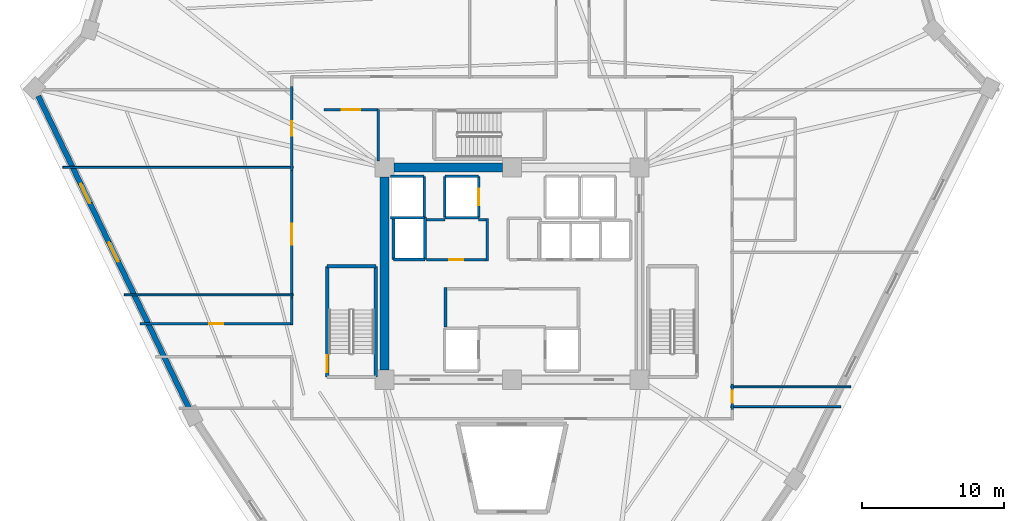
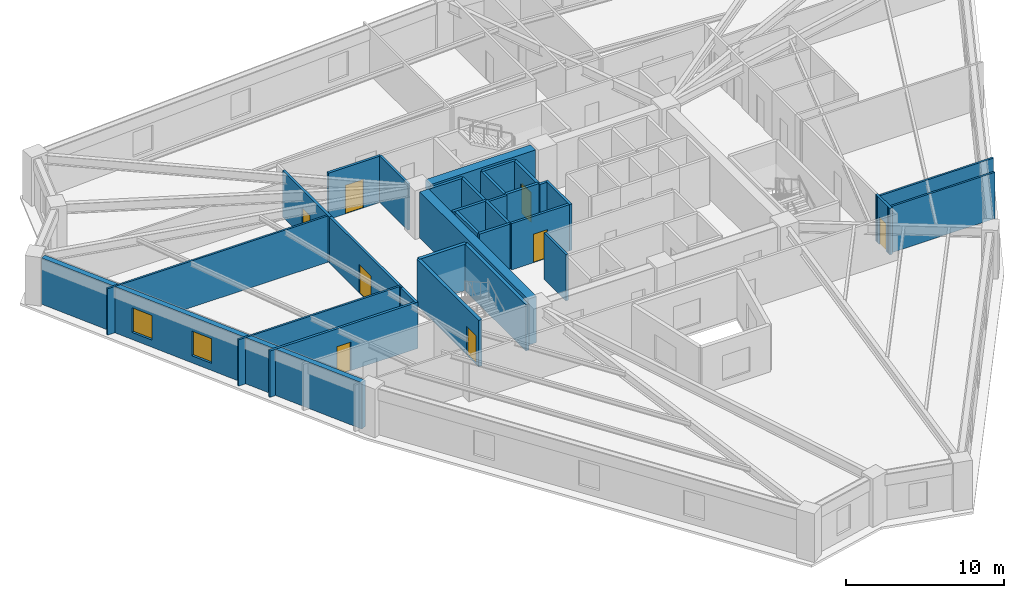
# One storey, part 4 of 8: 32 walls, 8 doors, 2 windows, 10 openings.
"""IFC4 building model written with IfcOpenShell, lengths in metres."""

from ifc_helpers import new_model, si_unit, direction, frame, frame_2d, origin, place, context, subcontext, project, spatial, rectangle, extrude, source, transform, mapped, material, layer, layer_set, type_object, element, fill, save


model = new_model("IFC4")

# Units and contexts
model_context = context("Model", 3, precision=1e-05, world=origin(), true_north=direction((0.0, 1.0)))
body_context = subcontext(model_context, "Body", "Model", "MODEL_VIEW")
ifc_project = project(units=[si_unit("LENGTHUNIT", "METRE"), si_unit("AREAUNIT", "SQUARE_METRE"), si_unit("VOLUMEUNIT", "CUBIC_METRE"), si_unit("PLANEANGLEUNIT", "RADIAN"), si_unit("MASSUNIT", "GRAM", prefix="KILO")], contexts=[model_context])

# Site, building, storey
site_placement = place(None, origin())
site = spatial("IfcSite", under=ifc_project, at=site_placement, CompositionType="ELEMENT")
building_placement = place(site_placement, origin())
building = spatial("IfcBuilding", under=site, at=building_placement, Name="Liaohun Quay Tower", CompositionType="ELEMENT")
storey_placement = place(building_placement, frame((0.0, 0.0, 205.5)))
storey = spatial("IfcBuildingStorey", under=building, at=storey_placement, Name="L53", CompositionType="ELEMENT", Elevation=205.5)

# Walls
ifc_material_1 = material(Name="Concrete C55", Category="concrete")
ifc_layer_1 = layer(ifc_material_1, 0.64990234375, Name="Concrete C55", Category="concrete")
ifc_layer_set_1 = layer_set([ifc_layer_1], Name="Concrete C55")
wall_type_1 = type_object("IfcWallType", Name="WAL-COR-Z3", PredefinedType="SHEAR", material=ifc_layer_set_1)
wall_1_placement = place(storey_placement, frame((51.675048828125, 61.5, 0.0), z_axis=(0.0, 0.0, 1.0), x_axis=(1.0, 0.0, 0.0)))
element("IfcWall", 1, at=wall_1_placement, inside=storey, type_object=wall_type_1, Name="L53 Central Core Shear Wall N-W", PredefinedType="SHEAR", context=body_context, shape_type="SweptSolid", body=[
    extrude(rectangle(XDim=7.64990234375, YDim=0.64990234375, at=frame_2d((3.824951171875, 0.0))), origin(), (0.0, 0.0, 1.0), 3.570068359375),
])
wall_2_placement = place(storey_placement, frame((51.0, 47.175048828125, 0.0), z_axis=(0.0, 0.0, 1.0), x_axis=(0.0, 1.0, 0.0)))
element("IfcWall", 2, at=wall_2_placement, inside=storey, type_object=wall_type_1, Name="L53 Central Core Shear Wall W", PredefinedType="SHEAR", context=body_context, shape_type="SweptSolid", body=[
    extrude(rectangle(XDim=13.64990234375, YDim=0.64990234375, at=frame_2d((6.824951171875, 0.0))), origin(), (0.0, 0.0, 1.0), 3.570068359375),
])

# Wall, openings, windows
ifc_material_2 = material(Name="Precast concrete C50 insulated sandwich", Category="concrete")
ifc_layer_2 = layer(ifc_material_2, 0.3798828125, Name="Precast concrete C50 insulated sandwich", Category="concrete")
ifc_layer_set_2 = layer_set([ifc_layer_2], Name="Precast concrete C50 insulated sandwich")
wall_type_2 = type_object("IfcWallType", Name="WAL-EXT-Z34", PredefinedType="SOLIDWALL", material=ifc_layer_set_2)
wall_3_placement = place(storey_placement, frame((26.52587890625, 66.549072265625, 0.0), z_axis=(0.0, 0.0, 1.0), x_axis=(0.434865153575, -0.900495584779, 0.0)))
wall_3 = element("IfcWall", 3, at=wall_3_placement, inside=storey, type_object=wall_type_2, Name="L53 Brutalist Precast Pier Wall 10", PredefinedType="SOLIDWALL", context=body_context, shape_type="SweptSolid", body=[
    extrude(rectangle(XDim=24.46533203125, YDim=0.3798828125, at=frame_2d((12.232666015625, 0.0))), origin(), (0.0, 0.0, 1.0), 3.570068359375),
])
shared_shape_1 = source(origin(), body_context, "Body", "SweptSolid", [
    extrude(rectangle(XDim=1.5, YDim=1.89990234375, at=frame_2d((0.75, 0.949951171875))), frame((0.0, 0.199951171875, 0.0), z_axis=(0.0, -1.0, 0.0), x_axis=(1.0, 0.0, 0.0)), (0.0, 0.0, 1.0), 0.39990234375),
])
opening_1_placement = place(wall_3_placement, frame((6.916015625, 0.0, 0.550048828125)))
opening_1 = element("IfcOpeningElement", 4, at=opening_1_placement, cuts=wall_3, Name="Opening W03", PredefinedType="OPENING", context=body_context, shape_type="MappedRepresentation", body=[
    mapped(shared_shape_1, transform((0.0, 0.0, 0.0), x_axis=(1.0, 0.0, 0.0), y_axis=(0.0, 1.0, 0.0), z_axis=(0.0, 0.0, 1.0), scale=1.0)),
])
opening_2_placement = place(wall_3_placement, frame((11.48291015625, 0.0, 0.550048828125)))
opening_2 = element("IfcOpeningElement", 5, at=opening_2_placement, cuts=wall_3, Name="Opening W03", PredefinedType="OPENING", context=body_context, shape_type="MappedRepresentation", body=[
    mapped(shared_shape_1, transform((0.0, 0.0, 0.0), x_axis=(1.0, 0.0, 0.0), y_axis=(0.0, 1.0, 0.0), z_axis=(0.0, 0.0, 1.0), scale=1.0)),
])
ifc_material_3 = material(Name="Triple Low-E argon glazing in thermally broken aluminium", Category="aluminium")
window_type = type_object("IfcWindowType", Name="WIN-PUN-Z3", PartitioningType="DOUBLE_PANEL_VERTICAL", PredefinedType="WINDOW", material=ifc_material_3)
shared_shape_2 = source(origin(), body_context, "Body", "SweptSolid", [
    extrude(rectangle(XDim=1.5, YDim=1.89990234375, at=frame_2d((0.75, 0.949951171875))), frame((0.0, 0.030029296875, 0.0), z_axis=(0.0, -1.0, 0.0), x_axis=(1.0, 0.0, 0.0)), (0.0, 0.0, 1.0), 0.06005859375),
])
window_1_placement = place(opening_1_placement, origin())
window_1 = element("IfcWindow", 6, at=window_1_placement, inside=storey, type_object=window_type, Name="L53 Recessed Cold-Climate Punched Window 10-1", OverallHeight=1.89990234375, OverallWidth=1.5, PartitioningType="DOUBLE_PANEL_VERTICAL", PredefinedType="WINDOW", context=body_context, shape_type="MappedRepresentation", body=[
    mapped(shared_shape_2, transform((0.0, 0.0, 0.0), x_axis=(1.0, 0.0, 0.0), y_axis=(0.0, 1.0, 0.0), z_axis=(0.0, 0.0, 1.0), scale=1.0)),
])
fill(opening_1, window_1)
window_2_placement = place(opening_2_placement, origin())
window_2 = element("IfcWindow", 7, at=window_2_placement, inside=storey, type_object=window_type, Name="L53 Recessed Cold-Climate Punched Window 10-2", OverallHeight=1.89990234375, OverallWidth=1.5, PartitioningType="DOUBLE_PANEL_VERTICAL", PredefinedType="WINDOW", context=body_context, shape_type="MappedRepresentation", body=[
    mapped(shared_shape_2, transform((0.0, 0.0, 0.0), x_axis=(1.0, 0.0, 0.0), y_axis=(0.0, 1.0, 0.0), z_axis=(0.0, 0.0, 1.0), scale=1.0)),
])
fill(opening_2, window_2)

# Wall, opening, door
ifc_material_4 = material(Name="Autoclaved aerated concrete blockwork", Category="masonry")
ifc_layer_3 = layer(ifc_material_4, 0.179931640625, Name="Autoclaved aerated concrete blockwork", Category="masonry")
ifc_layer_set_3 = layer_set([ifc_layer_3], Name="Autoclaved aerated concrete blockwork")
wall_type_3 = type_object("IfcWallType", Name="WAL-PRT-COR", PredefinedType="PARTITIONING", material=ifc_layer_set_3)
wall_4_placement = place(storey_placement, frame((53.949951171875, 54.97998046875, 0.0), z_axis=(0.0, 0.0, 1.0), x_axis=(1.0, 0.0, 0.0)))
wall_4 = element("IfcWall", 8, at=wall_4_placement, inside=storey, type_object=wall_type_3, Name="L53 Interior Partition Wall 002", PredefinedType="PARTITIONING", context=body_context, shape_type="SweptSolid", body=[
    extrude(rectangle(XDim=4.2099609375, YDim=0.179931640625, at=frame_2d((2.10498046875, 0.0))), origin(), (0.0, 0.0, 1.0), 3.570068359375),
])
shared_shape_3 = source(origin(), body_context, "Body", "SweptSolid", [
    extrude(rectangle(XDim=1.0, YDim=2.199951171875, at=frame_2d((0.5, 1.10009765625))), frame((0.0, 0.099853515625, 0.0), z_axis=(0.0, -1.0, 0.0), x_axis=(1.0, 0.0, 0.0)), (0.0, 0.0, 1.0), 0.199951171875),
])
opening_3_placement = place(wall_4_placement, frame((1.60009765625, 0.0, 0.0)))
opening_3 = element("IfcOpeningElement", 9, at=opening_3_placement, cuts=wall_4, Name="Opening OD1", PredefinedType="OPENING", context=body_context, shape_type="MappedRepresentation", body=[
    mapped(shared_shape_3, transform((0.0, 0.0, 0.0), x_axis=(1.0, 0.0, 0.0), y_axis=(0.0, 1.0, 0.0), z_axis=(0.0, 0.0, 1.0), scale=1.0)),
])
ifc_material_5 = material(Name="Solid-core oak veneer timber leaf in steel frame", Category="steel")
door_type_1 = type_object("IfcDoorType", Name="DOR-OFF-1000", OperationType="NOTDEFINED", PredefinedType="DOOR", material=ifc_material_5)
shared_shape_4 = source(origin(), body_context, "Body", "SweptSolid", [
    extrude(rectangle(XDim=1.0, YDim=2.199951171875, at=frame_2d((0.5, 1.10009765625))), frame((0.0, 0.02490234375, 0.0), z_axis=(0.0, -1.0, 0.0), x_axis=(1.0, 0.0, 0.0)), (0.0, 0.0, 1.0), 0.050048828125),
])
door_1_placement = place(opening_3_placement, origin())
door_1 = element("IfcDoor", 10, at=door_1_placement, inside=storey, type_object=door_type_1, Name="L53 Core Staff Pantry and Tea Room Door", OperationType="SINGLE_SWING_LEFT", OverallHeight=2.199951171875, OverallWidth=1.0, PredefinedType="DOOR", context=body_context, shape_type="MappedRepresentation", body=[
    mapped(shared_shape_4, transform((0.0, 0.0, 0.0), x_axis=(1.0, 0.0, 0.0), y_axis=(0.0, 1.0, 0.0), z_axis=(0.0, 0.0, 1.0), scale=1.0)),
])
fill(opening_3, door_1)

wall_5_placement = place(storey_placement, frame((46.699951171875, 65.580078125, 0.0), z_axis=(0.0, 0.0, 1.0), x_axis=(1.0, 0.0, 0.0)))
wall_5 = element("IfcWall", 11, at=wall_5_placement, inside=storey, type_object=wall_type_3, Name="L53 Interior Partition Wall 009", PredefinedType="PARTITIONING", context=body_context, shape_type="SweptSolid", body=[
    extrude(rectangle(XDim=3.840087890625, YDim=0.179931640625, at=frame_2d((1.919921875, 0.0))), origin(), (0.0, 0.0, 1.0), 3.570068359375),
])
shared_shape_5 = source(origin(), body_context, "Body", "SweptSolid", [
    extrude(rectangle(XDim=1.300048828125, YDim=2.199951171875, at=frame_2d((0.64990234375, 1.10009765625))), frame((0.0, 0.099853515625, 0.0), z_axis=(0.0, -1.0, 0.0), x_axis=(1.0, 0.0, 0.0)), (0.0, 0.0, 1.0), 0.199951171875),
])
opening_4_placement = place(wall_5_placement, frame((1.27001953125, 0.0, 0.0)))
opening_4 = element("IfcOpeningElement", 12, at=opening_4_placement, cuts=wall_5, Name="Opening FD1", PredefinedType="OPENING", context=body_context, shape_type="MappedRepresentation", body=[
    mapped(shared_shape_5, transform((0.0, 0.0, 0.0), x_axis=(1.0, 0.0, 0.0), y_axis=(0.0, 1.0, 0.0), z_axis=(0.0, 0.0, 1.0), scale=1.0)),
])
ifc_material_6 = material(Name="Galvanised steel smokeproof fire door", Category="steel")
door_type_2 = type_object("IfcDoorType", Name="DOR-FFL-1300", OperationType="NOTDEFINED", PredefinedType="DOOR", material=ifc_material_6)
shared_shape_6 = source(origin(), body_context, "Body", "SweptSolid", [
    extrude(rectangle(XDim=1.300048828125, YDim=2.199951171875, at=frame_2d((0.64990234375, 1.10009765625))), frame((0.0, 0.02490234375, 0.0), z_axis=(0.0, -1.0, 0.0), x_axis=(1.0, 0.0, 0.0)), (0.0, 0.0, 1.0), 0.050048828125),
])
door_2_placement = place(opening_4_placement, origin())
door_2 = element("IfcDoor", 13, at=door_2_placement, inside=storey, type_object=door_type_2, Name="L53 West Core Vestibule Door", OperationType="SINGLE_SWING_RIGHT", OverallHeight=2.199951171875, OverallWidth=1.300048828125, PredefinedType="DOOR", context=body_context, shape_type="MappedRepresentation", body=[
    mapped(shared_shape_6, transform((0.0, 0.0, 0.0), x_axis=(1.0, 0.0, 0.0), y_axis=(0.0, 1.0, 0.0), z_axis=(0.0, 0.0, 1.0), scale=1.0)),
])
fill(opening_4, door_2)

wall_6_placement = place(storey_placement, frame((44.43994140625, 61.284912109375, 0.0), z_axis=(0.0, 0.0, 1.0), x_axis=(0.0, 1.0, 0.0)))
wall_6 = element("IfcWall", 14, at=wall_6_placement, inside=storey, type_object=wall_type_3, Name="L53 Interior Partition Wall 016", PredefinedType="PARTITIONING", context=body_context, shape_type="SweptSolid", body=[
    extrude(rectangle(XDim=5.93017578125, YDim=0.179931640625, at=frame_2d((2.965087890625, 0.0))), origin(), (0.0, 0.0, 1.0), 3.570068359375),
])
opening_5_placement = place(wall_6_placement, frame((2.465087890625, 0.0, 0.0)))
opening_5 = element("IfcOpeningElement", 15, at=opening_5_placement, cuts=wall_6, Name="Opening OD1", PredefinedType="OPENING", context=body_context, shape_type="MappedRepresentation", body=[
    mapped(shared_shape_3, transform((0.0, 0.0, 0.0), x_axis=(1.0, 0.0, 0.0), y_axis=(0.0, 1.0, 0.0), z_axis=(0.0, 0.0, 1.0), scale=1.0)),
])
door_3_placement = place(opening_5_placement, origin())
door_3 = element("IfcDoor", 16, at=door_3_placement, inside=storey, type_object=door_type_1, Name="L53 Staff Tea Kitchen and Pantry 06 Door", OperationType="SINGLE_SWING_LEFT", OverallHeight=2.199951171875, OverallWidth=1.0, PredefinedType="DOOR", context=body_context, shape_type="MappedRepresentation", body=[
    mapped(shared_shape_4, transform((0.0, 0.0, 0.0), x_axis=(1.0, 0.0, 0.0), y_axis=(0.0, 1.0, 0.0), z_axis=(0.0, 0.0, 1.0), scale=1.0)),
])
fill(opening_5, door_3)

wall_7_placement = place(storey_placement, frame((44.43994140625, 52.284912109375, 0.0), z_axis=(0.0, 0.0, 1.0), x_axis=(0.0, 1.0, 0.0)))
wall_7 = element("IfcWall", 17, at=wall_7_placement, inside=storey, type_object=wall_type_3, Name="L53 Interior Partition Wall 017", PredefinedType="PARTITIONING", context=body_context, shape_type="SweptSolid", body=[
    extrude(rectangle(XDim=9.0, YDim=0.179931640625, at=frame_2d((4.5, 0.0))), origin(), (0.0, 0.0, 1.0), 3.570068359375),
])
shared_shape_7 = source(origin(), body_context, "Body", "SweptSolid", [
    extrude(rectangle(XDim=1.5, YDim=2.199951171875, at=frame_2d((0.75, 1.10009765625))), frame((0.0, 0.099853515625, 0.0), z_axis=(0.0, -1.0, 0.0), x_axis=(1.0, 0.0, 0.0)), (0.0, 0.0, 1.0), 0.199951171875),
])
opening_6_placement = place(wall_7_placement, frame((3.75, 0.0, 0.0)))
opening_6 = element("IfcOpeningElement", 18, at=opening_6_placement, cuts=wall_7, Name="Opening OD2", PredefinedType="OPENING", context=body_context, shape_type="MappedRepresentation", body=[
    mapped(shared_shape_7, transform((0.0, 0.0, 0.0), x_axis=(1.0, 0.0, 0.0), y_axis=(0.0, 1.0, 0.0), z_axis=(0.0, 0.0, 1.0), scale=1.0)),
])
ifc_material_7 = material(Name="Acoustic oak veneer double door")
door_type_3 = type_object("IfcDoorType", Name="DOR-OFF-1500", OperationType="DOUBLE_DOOR_SINGLE_SWING", PredefinedType="DOOR", material=ifc_material_7)
shared_shape_8 = source(origin(), body_context, "Body", "SweptSolid", [
    extrude(rectangle(XDim=1.5, YDim=2.199951171875, at=frame_2d((0.75, 1.10009765625))), frame((0.0, 0.02490234375, 0.0), z_axis=(0.0, -1.0, 0.0), x_axis=(1.0, 0.0, 0.0)), (0.0, 0.0, 1.0), 0.050048828125),
])
door_4_placement = place(opening_6_placement, origin())
door_4 = element("IfcDoor", 19, at=door_4_placement, inside=storey, type_object=door_type_3, Name="L53 Staff Daycare Nursery 07 Door", OperationType="DOUBLE_DOOR_SINGLE_SWING", OverallHeight=2.199951171875, OverallWidth=1.5, PredefinedType="DOOR", context=body_context, shape_type="MappedRepresentation", body=[
    mapped(shared_shape_8, transform((0.0, 0.0, 0.0), x_axis=(1.0, 0.0, 0.0), y_axis=(0.0, 1.0, 0.0), z_axis=(0.0, 0.0, 1.0), scale=1.0)),
])
fill(opening_6, door_4)

wall_8_placement = place(storey_placement, frame((33.7041015625, 50.4599609375, 0.0), z_axis=(0.0, 0.0, 1.0), x_axis=(1.0, 0.0, 0.0)))
wall_8 = element("IfcWall", 20, at=wall_8_placement, inside=storey, type_object=wall_type_3, Name="L53 Interior Partition Wall 018", PredefinedType="PARTITIONING", context=body_context, shape_type="SweptSolid", body=[
    extrude(rectangle(XDim=10.805908203125, YDim=0.179931640625, at=frame_2d((5.40283203125, 0.0))), origin(), (0.0, 0.0, 1.0), 3.570068359375),
])
opening_7_placement = place(wall_8_placement, frame((4.903076171875, 0.0, 0.0)))
opening_7 = element("IfcOpeningElement", 21, at=opening_7_placement, cuts=wall_8, Name="Opening OD1", PredefinedType="OPENING", context=body_context, shape_type="MappedRepresentation", body=[
    mapped(shared_shape_3, transform((0.0, 0.0, 0.0), x_axis=(1.0, 0.0, 0.0), y_axis=(0.0, 1.0, 0.0), z_axis=(0.0, 0.0, 1.0), scale=1.0)),
])
door_5_placement = place(opening_7_placement, origin())
door_5 = element("IfcDoor", 22, at=door_5_placement, inside=storey, type_object=door_type_1, Name="L53 Occupational Wellness Clinic 08 Door", OperationType="SINGLE_SWING_LEFT", OverallHeight=2.199951171875, OverallWidth=1.0, PredefinedType="DOOR", context=body_context, shape_type="MappedRepresentation", body=[
    mapped(shared_shape_4, transform((0.0, 0.0, 0.0), x_axis=(1.0, 0.0, 0.0), y_axis=(0.0, 1.0, 0.0), z_axis=(0.0, 0.0, 1.0), scale=1.0)),
])
fill(opening_7, door_5)

wall_9_placement = place(storey_placement, frame((75.56005859375, 46.215087890625, 0.0), z_axis=(0.0, 0.0, 1.0), x_axis=(0.0, -1.0, 0.0)))
wall_9 = element("IfcWall", 23, at=wall_9_placement, inside=storey, type_object=wall_type_3, Name="L53 Interior Partition Wall 021", PredefinedType="PARTITIONING", context=body_context, shape_type="SweptSolid", body=[
    extrude(rectangle(XDim=1.830078125, YDim=0.179931640625, at=frame_2d((0.9150390625, 0.0))), origin(), (0.0, 0.0, 1.0), 3.570068359375),
])
shared_shape_9 = source(origin(), body_context, "Body", "SweptSolid", [
    extrude(rectangle(XDim=0.85009765625, YDim=2.10009765625, at=frame_2d((0.425048828125, 1.050048828125))), frame((0.0, 0.099853515625, 0.0), z_axis=(0.0, -1.0, 0.0), x_axis=(1.0, 0.0, 0.0)), (0.0, 0.0, 1.0), 0.199951171875),
])
opening_8_placement = place(wall_9_placement, frame((0.489990234375, 0.0, 0.0)))
opening_8 = element("IfcOpeningElement", 24, at=opening_8_placement, cuts=wall_9, Name="Opening AD1", PredefinedType="OPENING", context=body_context, shape_type="MappedRepresentation", body=[
    mapped(shared_shape_9, transform((0.0, 0.0, 0.0), x_axis=(1.0, 0.0, 0.0), y_axis=(0.0, 1.0, 0.0), z_axis=(0.0, 0.0, 1.0), scale=1.0)),
])
ifc_material_8 = material(Name="Steel riser inspection fire door", Category="steel")
door_type_4 = type_object("IfcDoorType", Name="DOR-SHF-850", OperationType="NOTDEFINED", PredefinedType="DOOR", material=ifc_material_8)
shared_shape_10 = source(origin(), body_context, "Body", "SweptSolid", [
    extrude(rectangle(XDim=0.85009765625, YDim=2.10009765625, at=frame_2d((0.425048828125, 1.050048828125))), frame((0.0, 0.02490234375, 0.0), z_axis=(0.0, -1.0, 0.0), x_axis=(1.0, 0.0, 0.0)), (0.0, 0.0, 1.0), 0.050048828125),
])
door_6_placement = place(opening_8_placement, origin())
door_6 = element("IfcDoor", 25, at=door_6_placement, inside=storey, type_object=door_type_4, Name="L53 Executive Partner Office 11 Door", OperationType="SINGLE_SWING_RIGHT", OverallHeight=2.10009765625, OverallWidth=0.85009765625, PredefinedType="DOOR", context=body_context, shape_type="MappedRepresentation", body=[
    mapped(shared_shape_10, transform((0.0, 0.0, 0.0), x_axis=(1.0, 0.0, 0.0), y_axis=(0.0, 1.0, 0.0), z_axis=(0.0, 0.0, 1.0), scale=1.0)),
])
fill(opening_8, door_6)

# Walls
wall_10_placement = place(storey_placement, frame((50.5400390625, 61.949951171875, 0.0), z_axis=(0.0, 0.0, 1.0), x_axis=(0.0, 1.0, 0.0)))
element("IfcWall", 26, at=wall_10_placement, inside=storey, type_object=wall_type_3, Name="L53 Interior Partition Wall 031", PredefinedType="PARTITIONING", context=body_context, shape_type="SweptSolid", body=[
    extrude(rectangle(XDim=3.630126953125, YDim=0.179931640625, at=frame_2d((1.81494140625, 0.0))), origin(), (0.0, 0.0, 1.0), 3.570068359375),
])
wall_11_placement = place(storey_placement, frame((44.43994140625, 50.389892578125, 0.0), z_axis=(0.0, 0.0, 1.0), x_axis=(0.0, 1.0, 0.0)))
element("IfcWall", 27, at=wall_11_placement, inside=storey, type_object=wall_type_3, Name="L53 Interior Partition Wall 038", PredefinedType="PARTITIONING", context=body_context, shape_type="SweptSolid", body=[
    extrude(rectangle(XDim=1.89501953125, YDim=0.179931640625, at=frame_2d((0.947509765625, 0.0))), origin(), (0.0, 0.0, 1.0), 3.570068359375),
])
wall_12_placement = place(storey_placement, frame((55.300048828125, 50.219970703125, 0.0), z_axis=(0.0, 0.0, 1.0), x_axis=(0.0, 1.0, 0.0)))
element("IfcWall", 28, at=wall_12_placement, inside=storey, type_object=wall_type_3, Name="L53 Interior Partition Wall 052", PredefinedType="PARTITIONING", context=body_context, shape_type="SweptSolid", body=[
    extrude(rectangle(XDim=2.7900390625, YDim=0.179931640625, at=frame_2d((1.39501953125, 0.0))), origin(), (0.0, 0.0, 1.0), 3.570068359375),
])
wall_13_placement = place(storey_placement, frame((58.25, 54.889892578125, 0.0), z_axis=(0.0, 0.0, 1.0), x_axis=(0.0, 1.0, 0.0)))
element("IfcWall", 29, at=wall_13_placement, inside=storey, type_object=wall_type_3, Name="L53 Interior Partition Wall 055", PredefinedType="PARTITIONING", context=body_context, shape_type="SweptSolid", body=[
    extrude(rectangle(XDim=3.02001953125, YDim=0.179931640625, at=frame_2d((1.510009765625, 0.0))), origin(), (0.0, 0.0, 1.0), 3.570068359375),
])
wall_14_placement = place(storey_placement, frame((53.949951171875, 57.820068359375, 0.0), z_axis=(0.0, 0.0, 1.0), x_axis=(1.0, 0.0, 0.0)))
element("IfcWall", 30, at=wall_14_placement, inside=storey, type_object=wall_type_3, Name="L53 Interior Partition Wall 056", PredefinedType="PARTITIONING", context=body_context, shape_type="SweptSolid", body=[
    extrude(rectangle(XDim=1.300048828125, YDim=0.179931640625, at=frame_2d((0.64990234375, 0.0))), origin(), (0.0, 0.0, 1.0), 3.570068359375),
])
wall_15_placement = place(storey_placement, frame((57.64990234375, 57.820068359375, 0.0), z_axis=(0.0, 0.0, 1.0), x_axis=(1.0, 0.0, 0.0)))
element("IfcWall", 31, at=wall_15_placement, inside=storey, type_object=wall_type_3, Name="L53 Interior Partition Wall 057", PredefinedType="PARTITIONING", context=body_context, shape_type="SweptSolid", body=[
    extrude(rectangle(XDim=0.510009765625, YDim=0.179931640625, at=frame_2d((0.2548828125, 0.0))), origin(), (0.0, 0.0, 1.0), 3.570068359375),
])
ifc_material_9 = material(Name="Gypsum board on twin steel studs", Category="steel")
ifc_layer_4 = layer(ifc_material_9, 0.139892578125, Name="Gypsum board on twin steel studs", Category="steel")
ifc_layer_set_4 = layer_set([ifc_layer_4], Name="Gypsum board on twin steel studs")
wall_type_4 = type_object("IfcWallType", Name="WAL-PRT-OFF", PredefinedType="PARTITIONING", material=ifc_layer_set_4)
wall_16_placement = place(storey_placement, frame((44.5400390625, 52.5, 0.0), z_axis=(0.0, 0.0, 1.0), x_axis=(-1.0, 0.0, 0.0)))
element("IfcWall", 32, at=wall_16_placement, inside=storey, type_object=wall_type_4, Name="L53 Interior Partition Wall 043", PredefinedType="PARTITIONING", context=body_context, shape_type="SweptSolid", body=[
    extrude(rectangle(XDim=11.928955078125, YDim=0.139892578125, at=frame_2d((5.96435546875, 0.0))), origin(), (0.0, 0.0, 1.0), 3.570068359375),
])
wall_17_placement = place(storey_placement, frame((44.5400390625, 61.5, 0.0), z_axis=(0.0, 0.0, 1.0), x_axis=(-1.0, 0.0, 0.0)))
element("IfcWall", 33, at=wall_17_placement, inside=storey, type_object=wall_type_4, Name="L53 Interior Partition Wall 044", PredefinedType="PARTITIONING", context=body_context, shape_type="SweptSolid", body=[
    extrude(rectangle(XDim=16.275146484375, YDim=0.139892578125, at=frame_2d((8.1376953125, 0.0))), origin(), (0.0, 0.0, 1.0), 3.570068359375),
])
wall_18_placement = place(storey_placement, frame((75.4599609375, 44.60009765625, 0.0), z_axis=(0.0, 0.0, 1.0), x_axis=(1.0, 0.0, 0.0)))
element("IfcWall", 34, at=wall_18_placement, inside=storey, type_object=wall_type_4, Name="L53 Interior Partition Wall 046", PredefinedType="PARTITIONING", context=body_context, shape_type="SweptSolid", body=[
    extrude(rectangle(XDim=7.77099609375, YDim=0.139892578125, at=frame_2d((3.885498046875, 0.0))), origin(), (0.0, 0.0, 1.0), 3.570068359375),
])
wall_19_placement = place(storey_placement, frame((75.4599609375, 46.0, 0.0), z_axis=(0.0, 0.0, 1.0), x_axis=(1.0, 0.0, 0.0)))
element("IfcWall", 35, at=wall_19_placement, inside=storey, type_object=wall_type_4, Name="L53 Interior Partition Wall 047", PredefinedType="PARTITIONING", context=body_context, shape_type="SweptSolid", body=[
    extrude(rectangle(XDim=8.468017578125, YDim=0.139892578125, at=frame_2d((4.23388671875, 0.0))), origin(), (0.0, 0.0, 1.0), 3.570068359375),
])
ifc_material_10 = material(Name="Concrete C50", Category="concrete")
ifc_layer_5 = layer(ifc_material_10, 0.239990234375, Name="Concrete C50", Category="concrete")
ifc_layer_set_5 = layer_set([ifc_layer_5], Name="Concrete C50")
wall_type_5 = type_object("IfcWallType", Name="WAL-SHF-200", PredefinedType="SOLIDWALL", material=ifc_layer_set_5)
wall_20_placement = place(storey_placement, frame((50.3798828125, 46.699951171875, 0.0), z_axis=(0.0, 0.0, 1.0), x_axis=(0.0, 1.0, 0.0)))
element("IfcWall", 36, at=wall_20_placement, inside=storey, type_object=wall_type_5, Name="L53 Stairwell ST-1 Structural Core Wall E", PredefinedType="SOLIDWALL", context=body_context, shape_type="SweptSolid", body=[
    extrude(rectangle(XDim=7.820068359375, YDim=0.239990234375, at=frame_2d((3.91015625, 0.0))), origin(), (0.0, 0.0, 1.0), 3.570068359375),
])
wall_21_placement = place(storey_placement, frame((50.3798828125, 54.52001953125, 0.0), z_axis=(0.0, 0.0, 1.0), x_axis=(-1.0, 0.0, 0.0)))
element("IfcWall", 37, at=wall_21_placement, inside=storey, type_object=wall_type_5, Name="L53 Stairwell ST-1 Structural Core Wall N", PredefinedType="SOLIDWALL", context=body_context, shape_type="SweptSolid", body=[
    extrude(rectangle(XDim=3.43994140625, YDim=0.239990234375, at=frame_2d((1.719970703125, 0.0))), origin(), (0.0, 0.0, 1.0), 3.570068359375),
])

# Wall, opening, door
wall_22_placement = place(storey_placement, frame((46.93994140625, 54.52001953125, 0.0), z_axis=(0.0, 0.0, 1.0), x_axis=(0.0, -1.0, 0.0)))
wall_22 = element("IfcWall", 38, at=wall_22_placement, inside=storey, type_object=wall_type_5, Name="L53 Stairwell ST-1 Structural Core Wall W", PredefinedType="SOLIDWALL", context=body_context, shape_type="SweptSolid", body=[
    extrude(rectangle(XDim=7.820068359375, YDim=0.239990234375, at=frame_2d((3.91015625, 0.0))), origin(), (0.0, 0.0, 1.0), 3.570068359375),
])
shared_shape_11 = source(origin(), body_context, "Body", "SweptSolid", [
    extrude(rectangle(XDim=1.199951171875, YDim=2.199951171875, at=frame_2d((0.60009765625, 1.10009765625))), frame((0.0, 0.1298828125, 0.0), z_axis=(0.0, -1.0, 0.0), x_axis=(1.0, 0.0, 0.0)), (0.0, 0.0, 1.0), 0.260009765625),
])
opening_9_placement = place(wall_22_placement, frame((6.300048828125, 0.0, 0.0)))
opening_9 = element("IfcOpeningElement", 39, at=opening_9_placement, cuts=wall_22, Name="Opening SD1", PredefinedType="OPENING", context=body_context, shape_type="MappedRepresentation", body=[
    mapped(shared_shape_11, transform((0.0, 0.0, 0.0), x_axis=(1.0, 0.0, 0.0), y_axis=(0.0, 1.0, 0.0), z_axis=(0.0, 0.0, 1.0), scale=1.0)),
])
ifc_material_11 = material(Name="Galvanised steel fire door", Category="steel")
door_type_5 = type_object("IfcDoorType", Name="DOR-STR-1200", OperationType="NOTDEFINED", PredefinedType="DOOR", material=ifc_material_11)
shared_shape_12 = source(origin(), body_context, "Body", "SweptSolid", [
    extrude(rectangle(XDim=1.199951171875, YDim=2.199951171875, at=frame_2d((0.60009765625, 1.10009765625))), frame((0.0, 0.02490234375, 0.0), z_axis=(0.0, -1.0, 0.0), x_axis=(1.0, 0.0, 0.0)), (0.0, 0.0, 1.0), 0.050048828125),
])
door_7_placement = place(opening_9_placement, origin())
door_7 = element("IfcDoor", 40, at=door_7_placement, inside=storey, type_object=door_type_5, Name="L53 Protected Stair ST-1 Fire Door", OperationType="SINGLE_SWING_LEFT", OverallHeight=2.199951171875, OverallWidth=1.199951171875, PredefinedType="DOOR", context=body_context, shape_type="MappedRepresentation", body=[
    mapped(shared_shape_12, transform((0.0, 0.0, 0.0), x_axis=(1.0, 0.0, 0.0), y_axis=(0.0, 1.0, 0.0), z_axis=(0.0, 0.0, 1.0), scale=1.0)),
])
fill(opening_9, door_7)

# Wall
wall_23_placement = place(storey_placement, frame((55.25, 57.949951171875, 0.0), z_axis=(0.0, 0.0, 1.0), x_axis=(1.0, 0.0, 0.0)))
element("IfcWall", 41, at=wall_23_placement, inside=storey, type_object=wall_type_5, Name="L53 Lift FF-03 Hoistway Wall S", PredefinedType="SOLIDWALL", context=body_context, shape_type="SweptSolid", body=[
    extrude(rectangle(XDim=2.39990234375, YDim=0.199951171875, at=frame_2d((1.199951171875, 0.0))), origin(), (0.0, 0.0, 1.0), 3.570068359375),
])

# Wall, opening, door
wall_24_placement = place(storey_placement, frame((57.64990234375, 57.949951171875, 0.0), z_axis=(0.0, 0.0, 1.0), x_axis=(0.0, 1.0, 0.0)))
wall_24 = element("IfcWall", 42, at=wall_24_placement, inside=storey, type_object=wall_type_5, Name="L53 Lift FF-03 Hoistway Wall E", PredefinedType="SOLIDWALL", context=body_context, shape_type="SweptSolid", body=[
    extrude(rectangle(XDim=2.929931640625, YDim=0.199951171875, at=frame_2d((1.46484375, 0.0))), origin(), (0.0, 0.0, 1.0), 3.570068359375),
])
shared_shape_13 = source(origin(), body_context, "Body", "SweptSolid", [
    extrude(rectangle(XDim=1.199951171875, YDim=2.300048828125, at=frame_2d((0.60009765625, 1.14990234375))), frame((0.0, 0.10986328125, 0.0), z_axis=(0.0, -1.0, 0.0), x_axis=(1.0, 0.0, 0.0)), (0.0, 0.0, 1.0), 0.219970703125),
])
opening_10_placement = place(wall_24_placement, frame((0.864990234375, 0.0, 0.0)))
opening_10 = element("IfcOpeningElement", 43, at=opening_10_placement, cuts=wall_24, Name="Opening LD2", PredefinedType="OPENING", context=body_context, shape_type="MappedRepresentation", body=[
    mapped(shared_shape_13, transform((0.0, 0.0, 0.0), x_axis=(1.0, 0.0, 0.0), y_axis=(0.0, 1.0, 0.0), z_axis=(0.0, 0.0, 1.0), scale=1.0)),
])
ifc_material_12 = material(Name="Brushed stainless steel stretcher landing door", Category="steel")
door_type_6 = type_object("IfcDoorType", Name="DOR-LFT-1200", OperationType="SLIDING_TO_LEFT", PredefinedType="DOOR", material=ifc_material_12)
shared_shape_14 = source(origin(), body_context, "Body", "SweptSolid", [
    extrude(rectangle(XDim=1.199951171875, YDim=2.300048828125, at=frame_2d((0.60009765625, 1.14990234375))), frame((0.0, 0.02490234375, 0.0), z_axis=(0.0, -1.0, 0.0), x_axis=(1.0, 0.0, 0.0)), (0.0, 0.0, 1.0), 0.050048828125),
])
door_8_placement = place(opening_10_placement, origin())
door_8 = element("IfcDoor", 44, at=door_8_placement, inside=storey, type_object=door_type_6, Name="L53 Lift FF-03 Sliding Landing Door", OperationType="SLIDING_TO_LEFT", OverallHeight=2.300048828125, OverallWidth=1.199951171875, PredefinedType="DOOR", context=body_context, shape_type="MappedRepresentation", body=[
    mapped(shared_shape_14, transform((0.0, 0.0, 0.0), x_axis=(1.0, 0.0, 0.0), y_axis=(0.0, 1.0, 0.0), z_axis=(0.0, 0.0, 1.0), scale=1.0)),
])
fill(opening_10, door_8)

# Walls
wall_25_placement = place(storey_placement, frame((57.64990234375, 60.8798828125, 0.0), z_axis=(0.0, 0.0, 1.0), x_axis=(-1.0, 0.0, 0.0)))
element("IfcWall", 45, at=wall_25_placement, inside=storey, type_object=wall_type_5, Name="L53 Lift FF-03 Hoistway Wall N", PredefinedType="SOLIDWALL", context=body_context, shape_type="SweptSolid", body=[
    extrude(rectangle(XDim=2.39990234375, YDim=0.199951171875, at=frame_2d((1.199951171875, 0.0))), origin(), (0.0, 0.0, 1.0), 3.570068359375),
])
wall_26_placement = place(storey_placement, frame((55.25, 60.8798828125, 0.0), z_axis=(0.0, 0.0, 1.0), x_axis=(0.0, -1.0, 0.0)))
element("IfcWall", 46, at=wall_26_placement, inside=storey, type_object=wall_type_5, Name="L53 Lift FF-03 Hoistway Wall W", PredefinedType="SOLIDWALL", context=body_context, shape_type="SweptSolid", body=[
    extrude(rectangle(XDim=2.929931640625, YDim=0.199951171875, at=frame_2d((1.46484375, 0.0))), origin(), (0.0, 0.0, 1.0), 3.570068359375),
])
wall_27_placement = place(storey_placement, frame((51.39990234375, 57.949951171875, 0.0), z_axis=(0.0, 0.0, 1.0), x_axis=(1.0, 0.0, 0.0)))
element("IfcWall", 47, at=wall_27_placement, inside=storey, type_object=wall_type_5, Name="L53 Lift SH-01 Hoistway Wall S", PredefinedType="SOLIDWALL", context=body_context, shape_type="SweptSolid", body=[
    extrude(rectangle(XDim=2.400146484375, YDim=0.199951171875, at=frame_2d((1.2001953125, 0.0))), origin(), (0.0, 0.0, 1.0), 3.570068359375),
])
wall_28_placement = place(storey_placement, frame((53.800048828125, 57.949951171875, 0.0), z_axis=(0.0, 0.0, 1.0), x_axis=(0.0, 1.0, 0.0)))
element("IfcWall", 48, at=wall_28_placement, inside=storey, type_object=wall_type_5, Name="L53 Lift SH-01 Hoistway Wall E", PredefinedType="SOLIDWALL", context=body_context, shape_type="SweptSolid", body=[
    extrude(rectangle(XDim=2.929931640625, YDim=0.199951171875, at=frame_2d((1.46484375, 0.0))), origin(), (0.0, 0.0, 1.0), 3.570068359375),
])
wall_29_placement = place(storey_placement, frame((53.800048828125, 60.8798828125, 0.0), z_axis=(0.0, 0.0, 1.0), x_axis=(-1.0, 0.0, 0.0)))
element("IfcWall", 49, at=wall_29_placement, inside=storey, type_object=wall_type_5, Name="L53 Lift SH-01 Hoistway Wall N", PredefinedType="SOLIDWALL", context=body_context, shape_type="SweptSolid", body=[
    extrude(rectangle(XDim=2.400146484375, YDim=0.199951171875, at=frame_2d((1.2001953125, 0.0))), origin(), (0.0, 0.0, 1.0), 3.570068359375),
])
wall_30_placement = place(storey_placement, frame((51.6201171875, 55.0, 0.0), z_axis=(0.0, 0.0, 1.0), x_axis=(1.0, 0.0, 0.0)))
element("IfcWall", 50, at=wall_30_placement, inside=storey, type_object=wall_type_5, Name="L53 Lift SH-02 Hoistway Wall S", PredefinedType="SOLIDWALL", context=body_context, shape_type="SweptSolid", body=[
    extrude(rectangle(XDim=2.22998046875, YDim=0.199951171875, at=frame_2d((1.114990234375, 0.0))), origin(), (0.0, 0.0, 1.0), 3.570068359375),
])
for number, where, z_axis, x_axis, name in (
    (51, (53.85009765625, 55.0, 0.0), (0.0, 0.0, 1.0), (0.0, 1.0, 0.0), "L53 Lift SH-02 Hoistway Wall E"),
    (52, (51.6201171875, 58.0, 0.0), (0.0, 0.0, 1.0), (0.0, -1.0, 0.0), "L53 Lift SH-02 Hoistway Wall W"),
):
    element("IfcWall", number, at=place(storey_placement, frame(where, z_axis=z_axis, x_axis=x_axis)), inside=storey, type_object=wall_type_5, Name=name, PredefinedType="SOLIDWALL", context=body_context, shape_type="SweptSolid", body=[
        extrude(rectangle(XDim=3.0, YDim=0.199951171875, at=frame_2d((1.5, 0.0))), origin(), (0.0, 0.0, 1.0), 3.570068359375),
    ])

save(model, "model.ifc")
